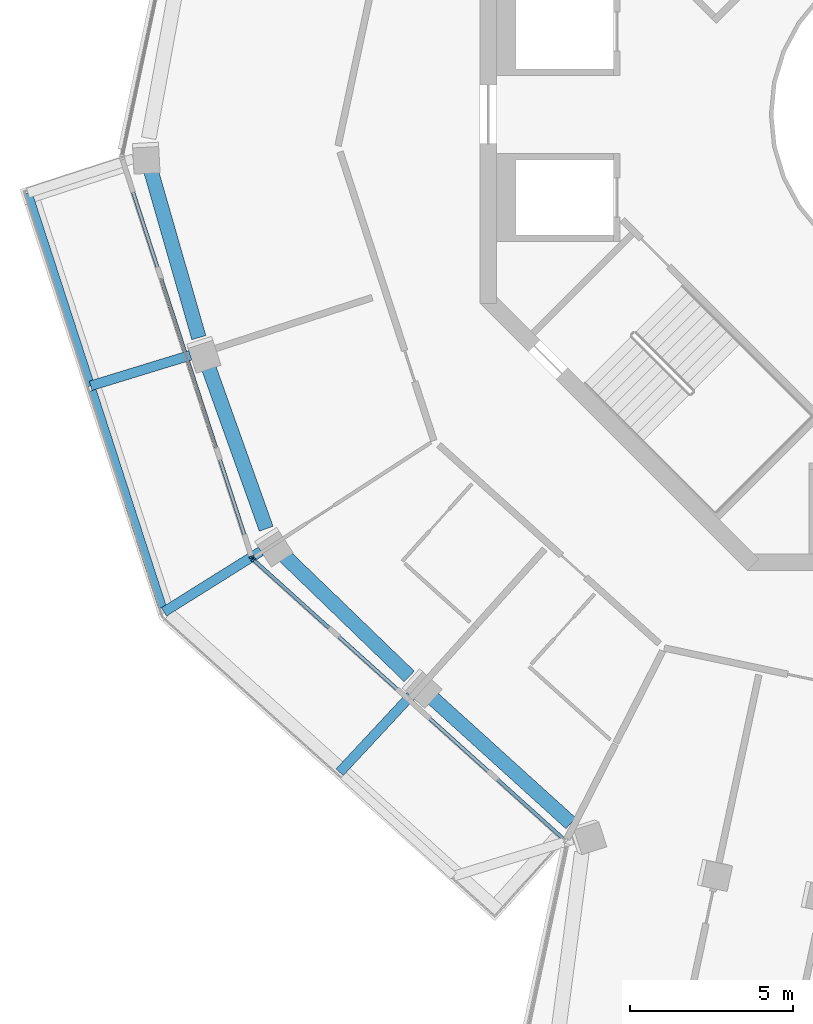
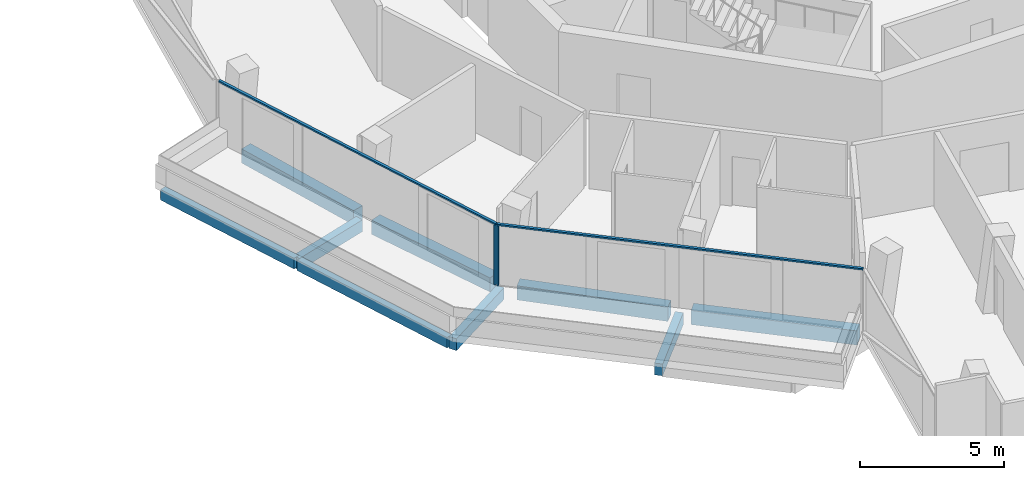
# One storey, part 3 of 22: 9 beams, 4 members, 2 elements without a shape of their own.
"""IFC4 building model written with IfcOpenShell, lengths in metres."""

from ifc_helpers import new_model, si_unit, direction, frame, origin, origin_2d, place, context, subcontext, project, spatial, rectangle, extrude, material, layer, layer_set, material_profile, profile_set, type_object, element, aggregate, save


model = new_model("IFC4")

# Units and contexts
model_context = context("Model", 3, precision=1e-05, world=origin(), true_north=direction((0.0, 1.0)))
body_context = subcontext(model_context, "Body", "Model", "MODEL_VIEW")
ifc_project = project(units=[si_unit("LENGTHUNIT", "METRE"), si_unit("AREAUNIT", "SQUARE_METRE"), si_unit("VOLUMEUNIT", "CUBIC_METRE"), si_unit("PLANEANGLEUNIT", "RADIAN"), si_unit("MASSUNIT", "GRAM", prefix="KILO")], contexts=[model_context])

# Site, building, storey
site_placement = place(None, origin())
site = spatial("IfcSite", under=ifc_project, at=site_placement, CompositionType="ELEMENT")
building_placement = place(site_placement, origin())
building = spatial("IfcBuilding", under=site, at=building_placement, Name="Verdalira Terraces Hotel", CompositionType="ELEMENT")
storey_placement = place(building_placement, frame((0.0, 0.0, 230.5)))
storey = spatial("IfcBuildingStorey", under=building, at=storey_placement, Name="L56", CompositionType="ELEMENT", Elevation=230.5)

# Beams
ifc_material_1 = material(Name="Concrete C40", Category="concrete")
ifc_material_profile_1 = material_profile(ifc_material_1, rectangle(XDim=0.300049, YDim=0.5, at=origin_2d()), Name="RC 300X500")
ifc_profile_set_1 = profile_set([ifc_material_profile_1], Name="Concrete C40")
beam_type_1 = type_object("IfcBeamType", Name="Balcony cantilever beam RC 300X500 C40", PredefinedType="BEAM", material=ifc_profile_set_1)
for number, where, z_axis, x_axis, name in (
    (1, (-16.128906, -17.850586, -0.560059), (-0.681488967, -0.731828387, 0.0), (0.731828387, -0.681488967, 0.0), "Balcony cantilever beam R12-1"),
    (2, (-22.893311, -7.394531, -0.560059), (-0.956098383, -0.293045871, 0.0), (0.293045871, -0.956098383, 0.0), "Balcony cantilever beam R12-4"),
):
    element("IfcBeam", number, at=place(storey_placement, frame(where, z_axis=z_axis, x_axis=x_axis)), inside=storey, type_object=beam_type_1, Name=name, PredefinedType="BEAM", context=body_context, shape_type="SweptSolid", body=[
        extrude(rectangle(XDim=0.300049, YDim=0.5, at=origin_2d()), origin(), (0.0, 0.0, 1.0), 3.200928),
    ])
beam_1_placement = place(storey_placement, frame((-20.726318, -13.408691, -0.560059), z_axis=(-0.84765463, -0.530548422, 0.0), x_axis=(0.530548422, -0.84765463, 0.0)))
element("IfcBeam", 3, at=beam_1_placement, inside=storey, type_object=beam_type_1, Name="Balcony cantilever beam R12-5", PredefinedType="BEAM", context=body_context, shape_type="SweptSolid", body=[
    extrude(rectangle(XDim=0.300049, YDim=0.5, at=origin_2d()), origin(), (0.0, 0.0, 1.0), 3.513916),
])
ifc_material_2 = material(Name="Concrete C40", Category="concrete")
ifc_material_profile_2 = material_profile(ifc_material_2, rectangle(XDim=0.25, YDim=0.449951, at=origin_2d()), Name="RC 250X450")
ifc_profile_set_2 = profile_set([ifc_material_profile_2], Name="Concrete C40")
beam_type_2 = type_object("IfcBeamType", Name="Balcony edge beam RC 250X450 C40", PredefinedType="BEAM", material=ifc_profile_set_2)
beam_2_placement = place(storey_placement, frame((-27.877197, -2.412354, -0.534912), z_axis=(0.309017785, -0.951056259, 0.0), x_axis=(0.951056259, 0.309017785, 0.0)))
element("IfcBeam", 4, at=beam_2_placement, inside=storey, type_object=beam_type_2, Name="Balcony edge beam R12-2", PredefinedType="BEAM", context=body_context, shape_type="SweptSolid", body=[
    extrude(rectangle(XDim=0.25, YDim=0.449951, at=origin_2d()), origin(), (0.0, 0.0, 1.0), 6.224854),
])
beam_3_placement = place(storey_placement, frame((-25.907471, -8.475098, -0.534912), z_axis=(0.308212621, -0.951317497, 0.0), x_axis=(0.951317497, 0.308212621, 0.0)))
element("IfcBeam", 5, at=beam_3_placement, inside=storey, type_object=beam_type_2, Name="Balcony edge beam R12-3", PredefinedType="BEAM", context=body_context, shape_type="SweptSolid", body=[
    extrude(rectangle(XDim=0.25, YDim=0.449951, at=origin_2d()), origin(), (0.0, 0.0, 1.0), 6.991211),
])

# Curtain wall, member
ifc_material_3 = material(Name="Clear glass", Category="glass")
ifc_layer = layer(ifc_material_3, 0.14990234375)
ifc_layer_set = layer_set([ifc_layer], Name="CW1 curtain wall")
curtain_wall_type = type_object("IfcCurtainWallType", Name="CW1 curtain wall", PredefinedType="NOTDEFINED", material=ifc_layer_set)
curtain_wall_1_placement = place(storey_placement, origin())
curtain_wall_1 = element("IfcCurtainWall", 6, at=curtain_wall_1_placement, inside=storey, type_object=curtain_wall_type, Name="CW1 curtain wall L56 edge 12", PredefinedType="NOTDEFINED")
ifc_material_4 = material(Name="Terracotta frame", Category="masonry")
ifc_material_profile_3 = material_profile(ifc_material_4, rectangle(XDim=0.060059, YDim=0.149902, at=origin_2d()), Name="MU 60x150")
ifc_profile_set_3 = profile_set([ifc_material_profile_3], Name="Terracotta frame")
member_type_1 = type_object("IfcMemberType", Name="CW1 mullion 60x150", PredefinedType="MULLION", material=ifc_profile_set_3)
member_1_placement = place(storey_placement, frame((-21.012695, -13.588135, 0.0), z_axis=(0.0, 0.0, 1.0), x_axis=(0.309016994, -0.951056516, 0.0)))
member_1 = element("IfcMember", 7, at=member_1_placement, type_object=member_type_1, Name="CW1 mullion", PredefinedType="MULLION", context=body_context, shape_type="SweptSolid", body=[
    extrude(rectangle(XDim=0.060059, YDim=0.149902, at=origin_2d()), origin(), (0.0, 0.0, 1.0), 2.524902),
])

curtain_wall_2_placement = place(storey_placement, origin())
curtain_wall_2 = element("IfcCurtainWall", 8, at=curtain_wall_2_placement, inside=storey, type_object=curtain_wall_type, Name="CW1 curtain wall L56 edge 13", PredefinedType="NOTDEFINED")
member_2_placement = place(storey_placement, frame((-20.960205, -13.669434, 0.0), z_axis=(0.0, 0.0, 1.0), x_axis=(0.743144825, -0.669130606, 0.0)))
member_2 = element("IfcMember", 9, at=member_2_placement, type_object=member_type_1, Name="CW1 mullion", PredefinedType="MULLION", context=body_context, shape_type="SweptSolid", body=[
    extrude(rectangle(XDim=0.060059, YDim=0.149902, at=origin_2d()), origin(), (0.0, 0.0, 1.0), 2.524902),
])

# Member
ifc_material_5 = material(Name="Terracotta frame", Category="masonry")
ifc_material_profile_4 = material_profile(ifc_material_5, rectangle(XDim=0.110107, YDim=0.064941, at=origin_2d()), Name="TR 65x110")
ifc_profile_set_4 = profile_set([ifc_material_profile_4], Name="Terracotta frame")
member_type_2 = type_object("IfcMemberType", Name="CW1 transom 65x110", PredefinedType="USERDEFINED", material=ifc_profile_set_4)
member_3_placement = place(storey_placement, frame((-24.99585, -1.329346, 2.557617), z_axis=(0.309018987, -0.951055869, 0.0), x_axis=(0.951055869, 0.309018987, 0.0)))
member_3 = element("IfcMember", 10, at=member_3_placement, type_object=member_type_2, Name="CW1 transom", ObjectType="TRANSOM", PredefinedType="USERDEFINED", context=body_context, shape_type="SweptSolid", body=[
    extrude(rectangle(XDim=0.110107, YDim=0.064941, at=origin_2d()), origin(), (0.0, 0.0, 1.0), 12.919678),
])

aggregate(curtain_wall_1, [member_1, member_3])

member_4_placement = place(storey_placement, frame((-20.982422, -13.64917, 2.557617), z_axis=(0.743145192, -0.669130199, 0.0), x_axis=(0.669130199, 0.743145192, 0.0)))
member_4 = element("IfcMember", 11, at=member_4_placement, type_object=member_type_2, Name="CW1 transom", ObjectType="TRANSOM", PredefinedType="USERDEFINED", context=body_context, shape_type="SweptSolid", body=[
    extrude(rectangle(XDim=0.110107, YDim=0.064941, at=origin_2d()), origin(), (0.0, 0.0, 1.0), 12.959961),
])

aggregate(curtain_wall_2, [member_2, member_4])

# Beams
ifc_material_6 = material(Name="Concrete C40", Category="concrete")
ifc_material_profile_5 = material_profile(ifc_material_6, rectangle(XDim=0.449951, YDim=0.600098, at=origin_2d()), Name="RC 450X600")
ifc_profile_set_5 = profile_set([ifc_material_profile_5], Name="Concrete C40")
beam_type_3 = type_object("IfcBeamType", Name="Spandrel beam RC 450X600 C40", PredefinedType="SPANDREL", material=ifc_profile_set_5)
beam_4_placement = place(storey_placement, frame((-24.12207, -1.666016, -0.610107), z_axis=(0.275814337, -0.96121093, 0.0), x_axis=(0.96121093, 0.275814337, 0.0)))
element("IfcBeam", 12, at=beam_4_placement, inside=storey, type_object=beam_type_3, Name="Spandrel beam B04", PredefinedType="SPANDREL", context=body_context, shape_type="SweptSolid", body=[
    extrude(rectangle(XDim=0.449951, YDim=0.600098, at=origin_2d()), origin(), (0.0, 0.0, 1.0), 5.396729),
])
beam_5_placement = place(storey_placement, frame((-22.380615, -7.638428, -0.610107), z_axis=(0.336359333, -0.94173372, 0.0), x_axis=(0.94173372, 0.336359333, 0.0)))
element("IfcBeam", 13, at=beam_5_placement, inside=storey, type_object=beam_type_3, Name="Spandrel beam B05", PredefinedType="SPANDREL", context=body_context, shape_type="SweptSolid", body=[
    extrude(rectangle(XDim=0.449951, YDim=0.600098, at=origin_2d()), origin(), (0.0, 0.0, 1.0), 5.394287),
])
beam_6_placement = place(storey_placement, frame((-20.057129, -13.503906, -0.610107), z_axis=(0.719459919, -0.694533962, 0.0), x_axis=(0.694533962, 0.719459919, 0.0)))
element("IfcBeam", 14, at=beam_6_placement, inside=storey, type_object=beam_type_3, Name="Spandrel beam B06", PredefinedType="SPANDREL", context=body_context, shape_type="SweptSolid", body=[
    extrude(rectangle(XDim=0.449951, YDim=0.600098, at=origin_2d()), origin(), (0.0, 0.0, 1.0), 5.396729),
])
beam_7_placement = place(storey_placement, frame((-15.580811, -17.807129, -0.610107), z_axis=(0.741191149, -0.671294035, 0.0), x_axis=(0.671294035, 0.741191149, 0.0)))
element("IfcBeam", 15, at=beam_7_placement, inside=storey, type_object=beam_type_3, Name="Spandrel beam B07", PredefinedType="SPANDREL", context=body_context, shape_type="SweptSolid", body=[
    extrude(rectangle(XDim=0.449951, YDim=0.600098, at=origin_2d()), origin(), (0.0, 0.0, 1.0), 5.892334),
])

save(model, "model.ifc")
